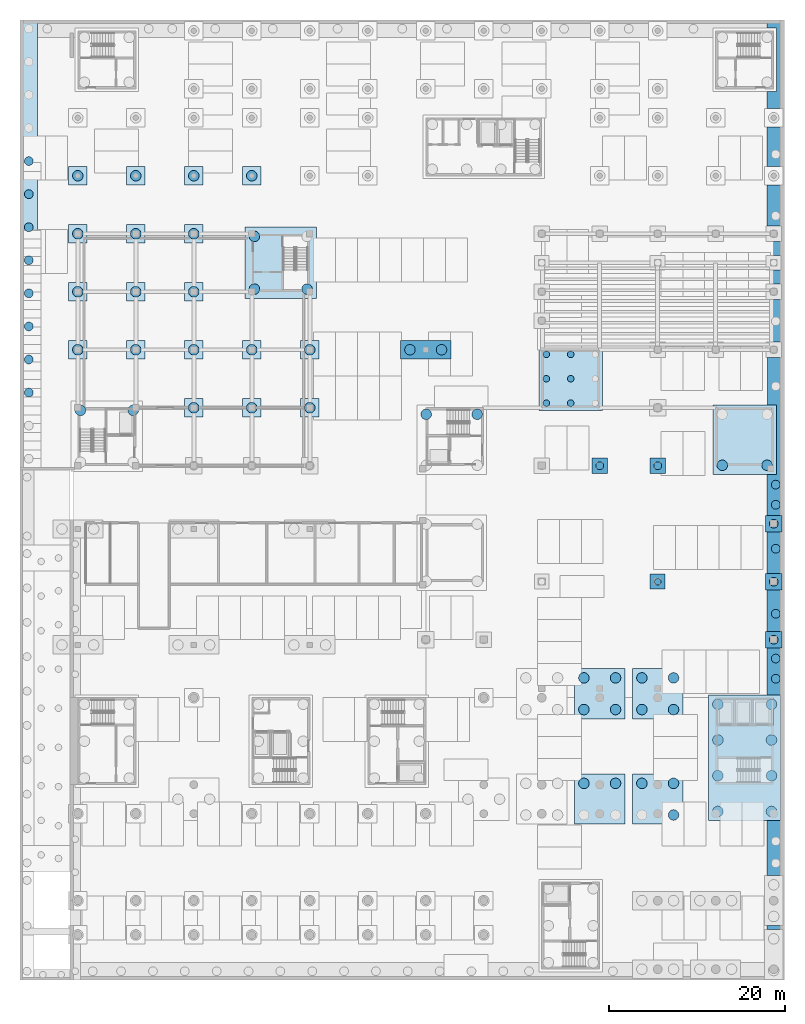
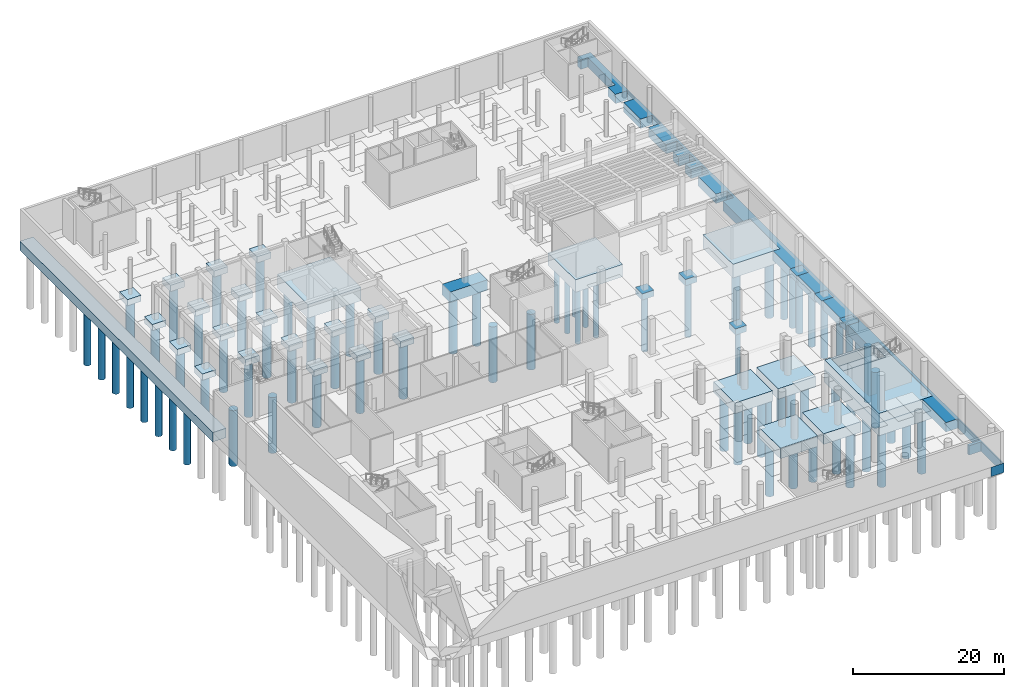
# One storey, part 3 of 38: 76 piles, 36 footings.
"""IFC4 building model written with IfcOpenShell, lengths in metres."""

from ifc_helpers import new_model, si_unit, direction, frame, origin, origin_2d, place, context, subcontext, project, spatial, polyline, circle, outline, extrude, material, material_profile, profile_set, type_object, element, save


model = new_model("IFC4")

# Units and contexts
model_context = context("Model", 3, precision=1e-05, world=origin(), true_north=direction((0.0, 1.0)))
body_context = subcontext(model_context, "Body", "Model", "MODEL_VIEW")
ifc_project = project(units=[si_unit("LENGTHUNIT", "METRE"), si_unit("AREAUNIT", "SQUARE_METRE"), si_unit("VOLUMEUNIT", "CUBIC_METRE"), si_unit("PLANEANGLEUNIT", "RADIAN"), si_unit("MASSUNIT", "GRAM", prefix="KILO")], contexts=[model_context])

# Site, building, storey
site_placement = place(None, origin())
site = spatial("IfcSite", under=ifc_project, at=site_placement, CompositionType="ELEMENT")
building_placement = place(site_placement, origin())
building = spatial("IfcBuilding", under=site, at=building_placement, Name="Lantern Court Research Institute", CompositionType="ELEMENT")
storey_placement = place(building_placement, frame((0.0, 0.0, -5.699951171875)))
storey = spatial("IfcBuildingStorey", under=building, at=storey_placement, Name="B1", CompositionType="ELEMENT", Elevation=-5.699951171875)

# Piles
ifc_material_1 = material(Name="Concrete C30/37", Category="concrete")
ifc_material_profile_1 = material_profile(ifc_material_1, circle(Radius=0.5, at=origin_2d()), Name="Bored pile D1000")
ifc_profile_set_1 = profile_set([ifc_material_profile_1], Name="Concrete C30/37")
pile_type_1 = type_object("IfcPileType", Name="Bored pile D1000", PredefinedType="BORED", material=ifc_profile_set_1)
for number, where, z_axis, x_axis, name in (
    (1, (79.199951171875, 29.699951171875, -0.900146484375), (0.0, 0.0, -1.0), (1.0, 0.0, 0.0), "Bored pile P104"),
    (2, (79.199951171875, 36.300048828125, -0.900146484375), (0.0, 0.0, -1.0), (1.0, 0.0, 0.0), "Bored pile P110"),
    (3, (79.199951171875, 42.89990234375, -0.900146484375), (0.0, 0.0, -1.0), (1.0, 0.0, 0.0), "Bored pile P119"),
    (4, (-5.580078125, 57.827880859375, -1.400146484375), (0.0, 0.0, -1.0), (1.0, 0.0, 0.0), "Bored pile P246"),
    (5, (-5.580078125, 61.592041015625, -1.400146484375), (0.0, 0.0, -1.0), (1.0, 0.0, 0.0), "Bored pile P247"),
    (6, (-5.580078125, 65.35498046875, -1.400146484375), (0.0, 0.0, -1.0), (1.0, 0.0, 0.0), "Bored pile P248"),
    (7, (-5.580078125, 69.118896484375, -1.400146484375), (0.0, 0.0, -1.0), (1.0, 0.0, 0.0), "Bored pile P249"),
    (8, (-5.580078125, 72.883056640625, -1.400146484375), (0.0, 0.0, -1.0), (1.0, 0.0, 0.0), "Bored pile P250"),
    (9, (-5.580078125, 76.64697265625, -1.400146484375), (0.0, 0.0, -1.0), (1.0, 0.0, 0.0), "Bored pile P251"),
    (10, (-5.580078125, 80.410888671875, -1.400146484375), (0.0, 0.0, -1.0), (1.0, 0.0, 0.0), "Bored pile P252"),
    (11, (-5.580078125, 84.175048828125, -1.400146484375), (0.0, 0.0, -1.0), (1.0, 0.0, 0.0), "Bored pile P253"),
    (12, (79.429931640625, 25.258056640625, -1.400146484375), (0.0, 0.0, -1.0), (1.0, 0.0, 0.0), "Bored pile P260"),
    (13, (79.429931640625, 27.555908203125, -1.400146484375), (0.0, 0.0, -1.0), (1.0, 0.0, 0.0), "Bored pile P261"),
    (14, (79.429931640625, 32.655029296875, -1.400146484375), (0.0, 0.0, -1.0), (1.0, 0.0, 0.0), "Bored pile P262"),
    (15, (79.429931640625, 40.052001953125, -1.400146484375), (0.0, 0.0, -1.0), (1.0, 0.0, 0.0), "Bored pile P263"),
    (16, (79.429931640625, 45.051025390625, -1.400146484375), (0.0, 0.0, -1.0), (1.0, 0.0, 0.0), "Bored pile P264"),
    (17, (79.429931640625, 47.34912109375, -1.400146484375), (0.0, 0.0, -1.0), (1.0, 0.0, 0.0), "Bored pile P265"),
):
    element("IfcPile", number, at=place(storey_placement, frame(where, z_axis=z_axis, x_axis=x_axis)), inside=storey, type_object=pile_type_1, Name=name, PredefinedType="BORED", context=body_context, shape_type="SweptSolid", body=[
        extrude(circle(Radius=0.5, at=origin_2d()), origin(), (0.0, 0.0, 1.0), 9.0),
    ])
ifc_material_2 = material(Name="Concrete C30/37", Category="concrete")
ifc_material_profile_2 = material_profile(ifc_material_2, circle(Radius=0.60009765625, at=origin_2d()), Name="Bored pile D1200")
ifc_profile_set_2 = profile_set([ifc_material_profile_2], Name="Concrete C30/37")
pile_type_2 = type_object("IfcPileType", Name="Bored pile D1200", PredefinedType="BORED", material=ifc_profile_set_2)
for number, where, z_axis, x_axis, name in (
    (18, (57.60009765625, 13.35009765625, -1.60009765625), (0.0, 0.0, -1.0), (1.0, 0.0, 0.0), "Bored pile P41"),
    (19, (61.199951171875, 13.35009765625, -1.60009765625), (0.0, 0.0, -1.0), (1.0, 0.0, 0.0), "Bored pile P42"),
    (20, (67.800048828125, 9.75, -1.60009765625), (0.0, 0.0, -1.0), (1.0, 0.0, 0.0), "Bored pile P44"),
    (21, (64.199951171875, 13.35009765625, -1.60009765625), (0.0, 0.0, -1.0), (1.0, 0.0, 0.0), "Bored pile P45"),
    (22, (67.800048828125, 13.35009765625, -1.60009765625), (0.0, 0.0, -1.0), (1.0, 0.0, 0.0), "Bored pile P46"),
    (23, (72.85009765625, 10.14990234375, -3.5), (0.0, 0.0, -1.0), (1.0, 0.0, 0.0), "Bored pile P53"),
    (24, (78.949951171875, 10.14990234375, -3.5), (0.0, 0.0, -1.0), (1.0, 0.0, 0.0), "Bored pile P54"),
    (25, (72.85009765625, 14.217041015625, -3.5), (0.0, 0.0, -1.0), (1.0, 0.0, 0.0), "Bored pile P55"),
    (26, (78.949951171875, 14.217041015625, -3.5), (0.0, 0.0, -1.0), (1.0, 0.0, 0.0), "Bored pile P56"),
    (27, (72.85009765625, 18.282958984375, -3.5), (0.0, 0.0, -1.0), (1.0, 0.0, 0.0), "Bored pile P57"),
    (28, (78.949951171875, 18.282958984375, -3.5), (0.0, 0.0, -1.0), (1.0, 0.0, 0.0), "Bored pile P58"),
    (29, (72.85009765625, 22.35009765625, -3.5), (0.0, 0.0, -1.0), (1.0, 0.0, 0.0), "Bored pile P59"),
    (30, (78.949951171875, 22.35009765625, -3.5), (0.0, 0.0, -1.0), (1.0, 0.0, 0.0), "Bored pile P60"),
    (31, (57.60009765625, 21.75, -1.60009765625), (0.0, 0.0, -1.0), (1.0, 0.0, 0.0), "Bored pile P87"),
    (32, (61.199951171875, 21.75, -1.60009765625), (0.0, 0.0, -1.0), (1.0, 0.0, 0.0), "Bored pile P88"),
    (33, (57.60009765625, 25.35009765625, -1.60009765625), (0.0, 0.0, -1.0), (1.0, 0.0, 0.0), "Bored pile P89"),
    (34, (61.199951171875, 25.35009765625, -1.60009765625), (0.0, 0.0, -1.0), (1.0, 0.0, 0.0), "Bored pile P90"),
    (35, (64.199951171875, 21.75, -1.60009765625), (0.0, 0.0, -1.0), (1.0, 0.0, 0.0), "Bored pile P91"),
    (36, (67.800048828125, 21.75, -1.60009765625), (0.0, 0.0, -1.0), (1.0, 0.0, 0.0), "Bored pile P92"),
    (37, (64.199951171875, 25.35009765625, -1.60009765625), (0.0, 0.0, -1.0), (1.0, 0.0, 0.0), "Bored pile P93"),
    (38, (67.800048828125, 25.35009765625, -1.60009765625), (0.0, 0.0, -1.0), (1.0, 0.0, 0.0), "Bored pile P94"),
    (39, (39.64990234375, 55.35009765625, -2.400146484375), (0.0, 0.0, -1.0), (1.0, 0.0, 0.0), "Bored pile P122"),
    (40, (45.449951171875, 55.35009765625, -2.400146484375), (0.0, 0.0, -1.0), (1.0, 0.0, 0.0), "Bored pile P123"),
    (41, (73.35009765625, 49.550048828125, -2.10009765625), (0.0, 0.0, -1.0), (1.0, 0.0, 0.0), "Bored pile P124"),
    (42, (78.449951171875, 49.550048828125, -2.10009765625), (0.0, 0.0, -1.0), (1.0, 0.0, 0.0), "Bored pile P125"),
    (43, (0.300048828125, 55.800048828125, -2.400146484375), (0.0, 0.0, -1.0), (1.0, 0.0, 0.0), "Bored pile P136"),
    (44, (6.300048828125, 55.800048828125, -2.400146484375), (0.0, 0.0, -1.0), (1.0, 0.0, 0.0), "Bored pile P137"),
    (45, (13.199951171875, 56.10009765625, -0.900146484375), (0.0, 0.0, -1.0), (1.0, 0.0, 0.0), "Bored pile P138"),
    (46, (19.800048828125, 56.10009765625, -0.900146484375), (0.0, 0.0, -1.0), (1.0, 0.0, 0.0), "Bored pile P139"),
    (47, (26.39990234375, 56.10009765625, -0.900146484375), (0.0, 0.0, -1.0), (1.0, 0.0, 0.0), "Bored pile P140"),
    (48, (0.0, 62.699951171875, -0.900146484375), (0.0, 0.0, -1.0), (1.0, 0.0, 0.0), "Bored pile P151"),
    (49, (6.60009765625, 62.699951171875, -0.900146484375), (0.0, 0.0, -1.0), (1.0, 0.0, 0.0), "Bored pile P152"),
    (50, (13.199951171875, 62.699951171875, -0.900146484375), (0.0, 0.0, -1.0), (1.0, 0.0, 0.0), "Bored pile P153"),
    (51, (19.800048828125, 62.699951171875, -0.900146484375), (0.0, 0.0, -1.0), (1.0, 0.0, 0.0), "Bored pile P154"),
    (52, (26.39990234375, 62.699951171875, -0.900146484375), (0.0, 0.0, -1.0), (1.0, 0.0, 0.0), "Bored pile P155"),
    (53, (37.800048828125, 62.699951171875, -1.60009765625), (0.0, 0.0, -1.0), (1.0, 0.0, 0.0), "Bored pile P156"),
    (54, (41.39990234375, 62.699951171875, -1.60009765625), (0.0, 0.0, -1.0), (1.0, 0.0, 0.0), "Bored pile P157"),
    (55, (0.0, 69.300048828125, -0.900146484375), (0.0, 0.0, -1.0), (1.0, 0.0, 0.0), "Bored pile P162"),
    (56, (6.60009765625, 69.300048828125, -0.900146484375), (0.0, 0.0, -1.0), (1.0, 0.0, 0.0), "Bored pile P163"),
    (57, (13.199951171875, 69.300048828125, -0.900146484375), (0.0, 0.0, -1.0), (1.0, 0.0, 0.0), "Bored pile P164"),
    (58, (20.10009765625, 69.60009765625, -2.10009765625), (0.0, 0.0, -1.0), (1.0, 0.0, 0.0), "Bored pile P167"),
    (59, (26.10009765625, 69.60009765625, -2.10009765625), (0.0, 0.0, -1.0), (1.0, 0.0, 0.0), "Bored pile P168"),
    (60, (20.10009765625, 75.60009765625, -2.10009765625), (0.0, 0.0, -1.0), (1.0, 0.0, 0.0), "Bored pile P169"),
    (61, (0.0, 75.89990234375, -0.900146484375), (0.0, 0.0, -1.0), (1.0, 0.0, 0.0), "Bored pile P174"),
    (62, (6.60009765625, 75.89990234375, -0.900146484375), (0.0, 0.0, -1.0), (1.0, 0.0, 0.0), "Bored pile P175"),
    (63, (13.199951171875, 75.89990234375, -0.900146484375), (0.0, 0.0, -1.0), (1.0, 0.0, 0.0), "Bored pile P176"),
    (64, (0.0, 82.5, -0.900146484375), (0.0, 0.0, -1.0), (1.0, 0.0, 0.0), "Bored pile P182"),
    (65, (6.60009765625, 82.5, -0.900146484375), (0.0, 0.0, -1.0), (1.0, 0.0, 0.0), "Bored pile P183"),
    (66, (13.199951171875, 82.5, -0.900146484375), (0.0, 0.0, -1.0), (1.0, 0.0, 0.0), "Bored pile P184"),
    (67, (19.800048828125, 82.5, -0.900146484375), (0.0, 0.0, -1.0), (1.0, 0.0, 0.0), "Bored pile P185"),
):
    element("IfcPile", number, at=place(storey_placement, frame(where, z_axis=z_axis, x_axis=x_axis)), inside=storey, type_object=pile_type_2, Name=name, PredefinedType="BORED", context=body_context, shape_type="SweptSolid", body=[
        extrude(circle(Radius=0.60009765625, at=origin_2d()), origin(), (0.0, 0.0, 1.0), 9.0),
    ])
ifc_material_3 = material(Name="Concrete C30/37", Category="concrete")
ifc_material_profile_3 = material_profile(ifc_material_3, circle(Radius=0.375, at=origin_2d()), Name="Bored pile D750")
ifc_profile_set_3 = profile_set([ifc_material_profile_3], Name="Concrete C30/37")
pile_type_3 = type_object("IfcPileType", Name="Bored pile D750", PredefinedType="BORED", material=ifc_profile_set_3)
for number, where, z_axis, x_axis, name in (
    (68, (66.0, 36.300048828125, -0.900146484375), (0.0, 0.0, -1.0), (1.0, 0.0, 0.0), "Bored pile P112"),
    (69, (53.324951171875, 56.625, -1.900146484375), (0.0, 0.0, -1.0), (1.0, 0.0, 0.0), "Bored pile P142"),
    (70, (56.10009765625, 56.625, -1.900146484375), (0.0, 0.0, -1.0), (1.0, 0.0, 0.0), "Bored pile P143"),
    (71, (53.324951171875, 59.39990234375, -1.900146484375), (0.0, 0.0, -1.0), (1.0, 0.0, 0.0), "Bored pile P145"),
    (72, (56.10009765625, 59.39990234375, -1.900146484375), (0.0, 0.0, -1.0), (1.0, 0.0, 0.0), "Bored pile P146"),
    (73, (53.324951171875, 62.175048828125, -1.900146484375), (0.0, 0.0, -1.0), (1.0, 0.0, 0.0), "Bored pile P148"),
    (74, (56.10009765625, 62.175048828125, -1.900146484375), (0.0, 0.0, -1.0), (1.0, 0.0, 0.0), "Bored pile P149"),
):
    element("IfcPile", number, at=place(storey_placement, frame(where, z_axis=z_axis, x_axis=x_axis)), inside=storey, type_object=pile_type_3, Name=name, PredefinedType="BORED", context=body_context, shape_type="SweptSolid", body=[
        extrude(circle(Radius=0.375, at=origin_2d()), origin(), (0.0, 0.0, 1.0), 9.0),
    ])
ifc_material_4 = material(Name="Concrete C30/37", Category="concrete")
ifc_material_profile_4 = material_profile(ifc_material_4, circle(Radius=0.449951171875, at=origin_2d()), Name="Bored pile D900")
ifc_profile_set_4 = profile_set([ifc_material_profile_4], Name="Concrete C30/37")
pile_type_4 = type_object("IfcPileType", Name="Bored pile D900", PredefinedType="BORED", material=ifc_profile_set_4)
for number, where, z_axis, x_axis, name in (
    (75, (59.39990234375, 49.5, -0.900146484375), (0.0, 0.0, -1.0), (1.0, 0.0, 0.0), "Bored pile P132"),
    (76, (66.0, 49.5, -0.900146484375), (0.0, 0.0, -1.0), (1.0, 0.0, 0.0), "Bored pile P133"),
):
    element("IfcPile", number, at=place(storey_placement, frame(where, z_axis=z_axis, x_axis=x_axis)), inside=storey, type_object=pile_type_4, Name=name, PredefinedType="BORED", context=body_context, shape_type="SweptSolid", body=[
        extrude(circle(Radius=0.449951171875, at=origin_2d()), origin(), (0.0, 0.0, 1.0), 9.0),
    ])

# Footings
ifc_material_5 = material(Name="Concrete C30/37", Category="concrete")
footing_type_1 = type_object("IfcFootingType", Name="Pile cap 1700 x 1700 x 1000", PredefinedType="PILE_CAP", material=ifc_material_5)
footing_1_placement = place(storey_placement, frame((0.0, 0.0, -1.0)))
element("IfcFooting", 77, at=footing_1_placement, inside=storey, type_object=footing_type_1, Name="Pile cap PC53", PredefinedType="PILE_CAP", context=body_context, shape_type="SweptSolid", body=[
    extrude(outline(polyline([(65.14990234375, 35.449951171875), (66.85009765625, 35.449951171875), (66.85009765625, 37.14990234375), (65.14990234375, 37.14990234375), (65.14990234375, 35.449951171875)])), origin(), (0.0, 0.0, 1.0), 1.0),
])
ifc_material_6 = material(Name="Concrete C30/37", Category="concrete")
footing_type_2 = type_object("IfcFootingType", Name="Pile cap 1800 x 1800 x 1000", PredefinedType="PILE_CAP", material=ifc_material_6)
footing_2_placement = place(storey_placement, frame((0.0, 0.0, -1.0)))
element("IfcFooting", 78, at=footing_2_placement, inside=storey, type_object=footing_type_2, Name="Pile cap PC64", PredefinedType="PILE_CAP", context=body_context, shape_type="SweptSolid", body=[
    extrude(outline(polyline([(58.5, 48.60009765625), (60.300048828125, 48.60009765625), (60.300048828125, 50.39990234375), (58.5, 50.39990234375), (58.5, 48.60009765625)])), origin(), (0.0, 0.0, 1.0), 1.0),
])
footing_3_placement = place(storey_placement, frame((0.0, 0.0, -1.0)))
element("IfcFooting", 79, at=footing_3_placement, inside=storey, type_object=footing_type_2, Name="Pile cap PC65", PredefinedType="PILE_CAP", context=body_context, shape_type="SweptSolid", body=[
    extrude(outline(polyline([(65.10009765625, 48.60009765625), (66.89990234375, 48.60009765625), (66.89990234375, 50.39990234375), (65.10009765625, 50.39990234375), (65.10009765625, 48.60009765625)])), origin(), (0.0, 0.0, 1.0), 1.0),
])
ifc_material_7 = material(Name="Concrete C30/37", Category="concrete")
footing_type_3 = type_object("IfcFootingType", Name="Pile cap 1900 x 1900 x 1000", PredefinedType="PILE_CAP", material=ifc_material_7)
footing_4_placement = place(storey_placement, frame((0.0, 0.0, -1.0)))
element("IfcFooting", 80, at=footing_4_placement, inside=storey, type_object=footing_type_3, Name="Pile cap PC48", PredefinedType="PILE_CAP", context=body_context, shape_type="SweptSolid", body=[
    extrude(outline(polyline([(78.25, 28.75), (80.14990234375, 28.75), (80.14990234375, 30.64990234375), (78.25, 30.64990234375), (78.25, 28.75)])), origin(), (0.0, 0.0, 1.0), 1.0),
])
footing_5_placement = place(storey_placement, frame((0.0, 0.0, -1.0)))
element("IfcFooting", 81, at=footing_5_placement, inside=storey, type_object=footing_type_3, Name="Pile cap PC51", PredefinedType="PILE_CAP", context=body_context, shape_type="SweptSolid", body=[
    extrude(outline(polyline([(78.25, 35.35009765625), (80.14990234375, 35.35009765625), (80.14990234375, 37.25), (78.25, 37.25), (78.25, 35.35009765625)])), origin(), (0.0, 0.0, 1.0), 1.0),
])
footing_6_placement = place(storey_placement, frame((0.0, 0.0, -1.0)))
element("IfcFooting", 82, at=footing_6_placement, inside=storey, type_object=footing_type_3, Name="Pile cap PC57", PredefinedType="PILE_CAP", context=body_context, shape_type="SweptSolid", body=[
    extrude(outline(polyline([(78.25, 41.949951171875), (80.14990234375, 41.949951171875), (80.14990234375, 43.85009765625), (78.25, 43.85009765625), (78.25, 41.949951171875)])), origin(), (0.0, 0.0, 1.0), 1.0),
])
ifc_material_8 = material(Name="Concrete C30/37", Category="concrete")
footing_type_4 = type_object("IfcFootingType", Name="Pile cap 2100 x 2100 x 1000", PredefinedType="PILE_CAP", material=ifc_material_8)
footing_7_placement = place(storey_placement, frame((0.0, 0.0, -1.0)))
element("IfcFooting", 83, at=footing_7_placement, inside=storey, type_object=footing_type_4, Name="Pile cap PC67", PredefinedType="PILE_CAP", context=body_context, shape_type="SweptSolid", body=[
    extrude(outline(polyline([(12.14990234375, 55.050048828125), (14.25, 55.050048828125), (14.25, 57.14990234375), (12.14990234375, 57.14990234375), (12.14990234375, 55.050048828125)])), origin(), (0.0, 0.0, 1.0), 1.0),
])
footing_8_placement = place(storey_placement, frame((0.0, 0.0, -1.0)))
element("IfcFooting", 84, at=footing_8_placement, inside=storey, type_object=footing_type_4, Name="Pile cap PC68", PredefinedType="PILE_CAP", context=body_context, shape_type="SweptSolid", body=[
    extrude(outline(polyline([(18.75, 55.050048828125), (20.85009765625, 55.050048828125), (20.85009765625, 57.14990234375), (18.75, 57.14990234375), (18.75, 55.050048828125)])), origin(), (0.0, 0.0, 1.0), 1.0),
])
footing_9_placement = place(storey_placement, frame((0.0, 0.0, -1.0)))
element("IfcFooting", 85, at=footing_9_placement, inside=storey, type_object=footing_type_4, Name="Pile cap PC69", PredefinedType="PILE_CAP", context=body_context, shape_type="SweptSolid", body=[
    extrude(outline(polyline([(25.35009765625, 55.050048828125), (27.449951171875, 55.050048828125), (27.449951171875, 57.14990234375), (25.35009765625, 57.14990234375), (25.35009765625, 55.050048828125)])), origin(), (0.0, 0.0, 1.0), 1.0),
])
footing_10_placement = place(storey_placement, frame((0.0, 0.0, -1.0)))
element("IfcFooting", 86, at=footing_10_placement, inside=storey, type_object=footing_type_4, Name="Pile cap PC72", PredefinedType="PILE_CAP", context=body_context, shape_type="SweptSolid", body=[
    extrude(outline(polyline([(-1.050048828125, 61.64990234375), (1.050048828125, 61.64990234375), (1.050048828125, 63.75), (-1.050048828125, 63.75), (-1.050048828125, 61.64990234375)])), origin(), (0.0, 0.0, 1.0), 1.0),
])
footing_11_placement = place(storey_placement, frame((0.0, 0.0, -1.0)))
element("IfcFooting", 87, at=footing_11_placement, inside=storey, type_object=footing_type_4, Name="Pile cap PC73", PredefinedType="PILE_CAP", context=body_context, shape_type="SweptSolid", body=[
    extrude(outline(polyline([(5.550048828125, 61.64990234375), (7.64990234375, 61.64990234375), (7.64990234375, 63.75), (5.550048828125, 63.75), (5.550048828125, 61.64990234375)])), origin(), (0.0, 0.0, 1.0), 1.0),
])
footing_12_placement = place(storey_placement, frame((0.0, 0.0, -1.0)))
element("IfcFooting", 88, at=footing_12_placement, inside=storey, type_object=footing_type_4, Name="Pile cap PC74", PredefinedType="PILE_CAP", context=body_context, shape_type="SweptSolid", body=[
    extrude(outline(polyline([(12.14990234375, 61.64990234375), (14.25, 61.64990234375), (14.25, 63.75), (12.14990234375, 63.75), (12.14990234375, 61.64990234375)])), origin(), (0.0, 0.0, 1.0), 1.0),
])
footing_13_placement = place(storey_placement, frame((0.0, 0.0, -1.0)))
element("IfcFooting", 89, at=footing_13_placement, inside=storey, type_object=footing_type_4, Name="Pile cap PC75", PredefinedType="PILE_CAP", context=body_context, shape_type="SweptSolid", body=[
    extrude(outline(polyline([(18.75, 61.64990234375), (20.85009765625, 61.64990234375), (20.85009765625, 63.75), (18.75, 63.75), (18.75, 61.64990234375)])), origin(), (0.0, 0.0, 1.0), 1.0),
])
footing_14_placement = place(storey_placement, frame((0.0, 0.0, -1.0)))
element("IfcFooting", 90, at=footing_14_placement, inside=storey, type_object=footing_type_4, Name="Pile cap PC76", PredefinedType="PILE_CAP", context=body_context, shape_type="SweptSolid", body=[
    extrude(outline(polyline([(25.35009765625, 61.64990234375), (27.449951171875, 61.64990234375), (27.449951171875, 63.75), (25.35009765625, 63.75), (25.35009765625, 61.64990234375)])), origin(), (0.0, 0.0, 1.0), 1.0),
])
footing_15_placement = place(storey_placement, frame((0.0, 0.0, -1.0)))
element("IfcFooting", 91, at=footing_15_placement, inside=storey, type_object=footing_type_4, Name="Pile cap PC82", PredefinedType="PILE_CAP", context=body_context, shape_type="SweptSolid", body=[
    extrude(outline(polyline([(-1.050048828125, 68.25), (1.050048828125, 68.25), (1.050048828125, 70.35009765625), (-1.050048828125, 70.35009765625), (-1.050048828125, 68.25)])), origin(), (0.0, 0.0, 1.0), 1.0),
])
footing_16_placement = place(storey_placement, frame((0.0, 0.0, -1.0)))
element("IfcFooting", 92, at=footing_16_placement, inside=storey, type_object=footing_type_4, Name="Pile cap PC83", PredefinedType="PILE_CAP", context=body_context, shape_type="SweptSolid", body=[
    extrude(outline(polyline([(5.550048828125, 68.25), (7.64990234375, 68.25), (7.64990234375, 70.35009765625), (5.550048828125, 70.35009765625), (5.550048828125, 68.25)])), origin(), (0.0, 0.0, 1.0), 1.0),
])
footing_17_placement = place(storey_placement, frame((0.0, 0.0, -1.0)))
element("IfcFooting", 93, at=footing_17_placement, inside=storey, type_object=footing_type_4, Name="Pile cap PC84", PredefinedType="PILE_CAP", context=body_context, shape_type="SweptSolid", body=[
    extrude(outline(polyline([(12.14990234375, 68.25), (14.25, 68.25), (14.25, 70.35009765625), (12.14990234375, 70.35009765625), (12.14990234375, 68.25)])), origin(), (0.0, 0.0, 1.0), 1.0),
])
footing_18_placement = place(storey_placement, frame((0.0, 0.0, -1.0)))
element("IfcFooting", 94, at=footing_18_placement, inside=storey, type_object=footing_type_4, Name="Pile cap PC91", PredefinedType="PILE_CAP", context=body_context, shape_type="SweptSolid", body=[
    extrude(outline(polyline([(-1.050048828125, 74.85009765625), (1.050048828125, 74.85009765625), (1.050048828125, 76.949951171875), (-1.050048828125, 76.949951171875), (-1.050048828125, 74.85009765625)])), origin(), (0.0, 0.0, 1.0), 1.0),
])
footing_19_placement = place(storey_placement, frame((0.0, 0.0, -1.0)))
element("IfcFooting", 95, at=footing_19_placement, inside=storey, type_object=footing_type_4, Name="Pile cap PC92", PredefinedType="PILE_CAP", context=body_context, shape_type="SweptSolid", body=[
    extrude(outline(polyline([(5.550048828125, 74.85009765625), (7.64990234375, 74.85009765625), (7.64990234375, 76.949951171875), (5.550048828125, 76.949951171875), (5.550048828125, 74.85009765625)])), origin(), (0.0, 0.0, 1.0), 1.0),
])
footing_20_placement = place(storey_placement, frame((0.0, 0.0, -1.0)))
element("IfcFooting", 96, at=footing_20_placement, inside=storey, type_object=footing_type_4, Name="Pile cap PC93", PredefinedType="PILE_CAP", context=body_context, shape_type="SweptSolid", body=[
    extrude(outline(polyline([(12.14990234375, 74.85009765625), (14.25, 74.85009765625), (14.25, 76.949951171875), (12.14990234375, 76.949951171875), (12.14990234375, 74.85009765625)])), origin(), (0.0, 0.0, 1.0), 1.0),
])
footing_21_placement = place(storey_placement, frame((0.0, 0.0, -1.0)))
element("IfcFooting", 97, at=footing_21_placement, inside=storey, type_object=footing_type_4, Name="Pile cap PC99", PredefinedType="PILE_CAP", context=body_context, shape_type="SweptSolid", body=[
    extrude(outline(polyline([(-1.050048828125, 81.449951171875), (1.050048828125, 81.449951171875), (1.050048828125, 83.550048828125), (-1.050048828125, 83.550048828125), (-1.050048828125, 81.449951171875)])), origin(), (0.0, 0.0, 1.0), 1.0),
])
footing_22_placement = place(storey_placement, frame((0.0, 0.0, -1.0)))
element("IfcFooting", 98, at=footing_22_placement, inside=storey, type_object=footing_type_4, Name="Pile cap PC100", PredefinedType="PILE_CAP", context=body_context, shape_type="SweptSolid", body=[
    extrude(outline(polyline([(5.550048828125, 81.449951171875), (7.64990234375, 81.449951171875), (7.64990234375, 83.550048828125), (5.550048828125, 83.550048828125), (5.550048828125, 81.449951171875)])), origin(), (0.0, 0.0, 1.0), 1.0),
])
footing_23_placement = place(storey_placement, frame((0.0, 0.0, -1.0)))
element("IfcFooting", 99, at=footing_23_placement, inside=storey, type_object=footing_type_4, Name="Pile cap PC101", PredefinedType="PILE_CAP", context=body_context, shape_type="SweptSolid", body=[
    extrude(outline(polyline([(12.14990234375, 81.449951171875), (14.25, 81.449951171875), (14.25, 83.550048828125), (12.14990234375, 83.550048828125), (12.14990234375, 81.449951171875)])), origin(), (0.0, 0.0, 1.0), 1.0),
])
footing_24_placement = place(storey_placement, frame((0.0, 0.0, -1.0)))
element("IfcFooting", 100, at=footing_24_placement, inside=storey, type_object=footing_type_4, Name="Pile cap PC102", PredefinedType="PILE_CAP", context=body_context, shape_type="SweptSolid", body=[
    extrude(outline(polyline([(18.75, 81.449951171875), (20.85009765625, 81.449951171875), (20.85009765625, 83.550048828125), (18.75, 83.550048828125), (18.75, 81.449951171875)])), origin(), (0.0, 0.0, 1.0), 1.0),
])
ifc_material_9 = material(Name="Concrete C30/37", Category="concrete")
footing_type_5 = type_object("IfcFootingType", Name="Pile cap 5700 x 2100 x 1700", PredefinedType="PILE_CAP", material=ifc_material_9)
footing_25_placement = place(storey_placement, frame((0.0, 0.0, -1.699951171875)))
element("IfcFooting", 101, at=footing_25_placement, inside=storey, type_object=footing_type_5, Name="Pile cap PC77", PredefinedType="PILE_CAP", context=body_context, shape_type="SweptSolid", body=[
    extrude(outline(polyline([(36.75, 61.64990234375), (42.449951171875, 61.64990234375), (42.449951171875, 63.75), (36.75, 63.75), (36.75, 61.64990234375)])), origin(), (0.0, 0.0, 1.0), 1.699951171875),
])
ifc_material_10 = material(Name="Concrete C30/37", Category="concrete")
footing_type_6 = type_object("IfcFootingType", Name="Pile cap 5700 x 5700 x 1700", PredefinedType="PILE_CAP", material=ifc_material_10)
footing_26_placement = place(storey_placement, frame((0.0, 0.0, -1.699951171875)))
element("IfcFooting", 102, at=footing_26_placement, inside=storey, type_object=footing_type_6, Name="Pile cap PC25", PredefinedType="PILE_CAP", context=body_context, shape_type="SweptSolid", body=[
    extrude(outline(polyline([(56.550048828125, 8.699951171875), (62.25, 8.699951171875), (62.25, 14.39990234375), (56.550048828125, 14.39990234375), (56.550048828125, 8.699951171875)])), origin(), (0.0, 0.0, 1.0), 1.699951171875),
])
footing_27_placement = place(storey_placement, frame((0.0, 0.0, -1.699951171875)))
element("IfcFooting", 103, at=footing_27_placement, inside=storey, type_object=footing_type_6, Name="Pile cap PC26", PredefinedType="PILE_CAP", context=body_context, shape_type="SweptSolid", body=[
    extrude(outline(polyline([(63.14990234375, 8.699951171875), (68.85009765625, 8.699951171875), (68.85009765625, 14.39990234375), (63.14990234375, 14.39990234375), (63.14990234375, 8.699951171875)])), origin(), (0.0, 0.0, 1.0), 1.699951171875),
])
footing_28_placement = place(storey_placement, frame((0.0, 0.0, -1.699951171875)))
element("IfcFooting", 104, at=footing_28_placement, inside=storey, type_object=footing_type_6, Name="Pile cap PC40", PredefinedType="PILE_CAP", context=body_context, shape_type="SweptSolid", body=[
    extrude(outline(polyline([(56.550048828125, 20.699951171875), (62.25, 20.699951171875), (62.25, 26.39990234375), (56.550048828125, 26.39990234375), (56.550048828125, 20.699951171875)])), origin(), (0.0, 0.0, 1.0), 1.699951171875),
])
footing_29_placement = place(storey_placement, frame((0.0, 0.0, -1.699951171875)))
element("IfcFooting", 105, at=footing_29_placement, inside=storey, type_object=footing_type_6, Name="Pile cap PC41", PredefinedType="PILE_CAP", context=body_context, shape_type="SweptSolid", body=[
    extrude(outline(polyline([(63.14990234375, 20.699951171875), (68.85009765625, 20.699951171875), (68.85009765625, 26.39990234375), (63.14990234375, 26.39990234375), (63.14990234375, 20.699951171875)])), origin(), (0.0, 0.0, 1.0), 1.699951171875),
])
ifc_material_11 = material(Name="Concrete C30/37", Category="concrete")
footing_type_7 = type_object("IfcFootingType", Name="Pile cap 7200 x 7200 x 2000", PredefinedType="PILE_CAP", material=ifc_material_11)
footing_30_placement = place(storey_placement, frame((0.0, 0.0, -2.0)))
element("IfcFooting", 106, at=footing_30_placement, inside=storey, type_object=footing_type_7, Name="Pile cap PC71", PredefinedType="PILE_CAP", context=body_context, shape_type="SweptSolid", body=[
    extrude(outline(polyline([(52.5, 55.800048828125), (59.699951171875, 55.800048828125), (59.699951171875, 63.0), (52.5, 63.0), (52.5, 55.800048828125)])), origin(), (0.0, 0.0, 1.0), 2.0),
])
ifc_material_12 = material(Name="Concrete C30/37", Category="concrete")
footing_type_8 = type_object("IfcFootingType", Name="Pile cap 7200 x 7900 x 2200", PredefinedType="PILE_CAP", material=ifc_material_12)
footing_31_placement = place(storey_placement, frame((0.0, 0.0, -2.199951171875)))
element("IfcFooting", 107, at=footing_31_placement, inside=storey, type_object=footing_type_8, Name="Pile cap PC59", PredefinedType="PILE_CAP", context=body_context, shape_type="SweptSolid", body=[
    extrude(outline(polyline([(72.300048828125, 48.5), (79.5, 48.5), (79.5, 56.39990234375), (72.300048828125, 56.39990234375), (72.300048828125, 48.5)])), origin(), (0.0, 0.0, 1.0), 2.199951171875),
])
ifc_material_13 = material(Name="Concrete C30/37", Category="concrete")
footing_type_9 = type_object("IfcFootingType", Name="Pile cap 8100 x 8100 x 2200", PredefinedType="PILE_CAP", material=ifc_material_13)
footing_32_placement = place(storey_placement, frame((0.0, 0.0, -2.199951171875)))
element("IfcFooting", 108, at=footing_32_placement, inside=storey, type_object=footing_type_9, Name="Pile cap PC87", PredefinedType="PILE_CAP", context=body_context, shape_type="SweptSolid", body=[
    extrude(outline(polyline([(19.050048828125, 68.550048828125), (27.14990234375, 68.550048828125), (27.14990234375, 76.64990234375), (19.050048828125, 76.64990234375), (19.050048828125, 68.550048828125)])), origin(), (0.0, 0.0, 1.0), 2.199951171875),
])
ifc_material_14 = material(Name="Concrete C30/37", Category="concrete")
footing_type_10 = type_object("IfcFootingType", Name="Pile cap lower plate 8200 x 14300 x 2100", PredefinedType="PILE_CAP", material=ifc_material_14)
footing_33_placement = place(storey_placement, frame((0.0, 0.0, -3.60009765625)))
element("IfcFooting", 109, at=footing_33_placement, inside=storey, type_object=footing_type_10, Name="Pile cap PC33 lower plate", PredefinedType="PILE_CAP", context=body_context, shape_type="SweptSolid", body=[
    extrude(outline(polyline([(71.800048828125, 9.10009765625), (80.0, 9.10009765625), (80.0, 23.39990234375), (71.800048828125, 23.39990234375), (71.800048828125, 9.10009765625)])), origin(), (0.0, 0.0, 1.0), 2.10009765625),
])
ifc_material_15 = material(Name="Concrete C30/37", Category="concrete")
footing_type_11 = type_object("IfcFootingType", Name="Pile cap upper ring 8200 x 14300 x 1500", PredefinedType="PILE_CAP", material=ifc_material_15)
footing_34_placement = place(storey_placement, frame((0.0, 0.0, -1.5)))
element("IfcFooting", 110, at=footing_34_placement, inside=storey, type_object=footing_type_11, Name="Pile cap PC33 upper ring", PredefinedType="PILE_CAP", context=body_context, shape_type="SweptSolid", body=[
    extrude(outline(polyline([(71.800048828125, 9.10009765625), (80.0, 9.10009765625), (80.0, 23.39990234375), (71.800048828125, 23.39990234375), (71.800048828125, 9.10009765625)]), holes=[polyline([(72.64990234375, 19.949951171875), (79.14990234375, 19.949951171875), (79.14990234375, 23.050048828125), (72.64990234375, 23.050048828125), (72.64990234375, 19.949951171875)])]), origin(), (0.0, 0.0, 1.0), 1.5),
])
ifc_material_16 = material(Name="Concrete C30/37", Category="concrete")
footing_type_12 = type_object("IfcFootingType", Name="Strip footing 2000 x 1500", PredefinedType="STRIP_FOOTING", material=ifc_material_16)
footing_35_placement = place(storey_placement, frame((0.0, 0.0, -1.5)))
element("IfcFooting", 111, at=footing_35_placement, inside=storey, type_object=footing_type_12, Name="Strip footing F6", PredefinedType="STRIP_FOOTING", context=body_context, shape_type="SweptSolid", body=[
    extrude(outline(polyline([(-4.580078125, 49.300048828125), (-6.580078125, 49.300048828125), (-6.580078125, 100.22998046875), (-4.580078125, 100.22998046875), (-4.580078125, 49.300048828125)])), origin(), (0.0, 0.0, 1.0), 1.5),
])
footing_36_placement = place(storey_placement, frame((0.0, 0.0, -1.5)))
element("IfcFooting", 112, at=footing_36_placement, inside=storey, type_object=footing_type_12, Name="Strip footing F7", PredefinedType="STRIP_FOOTING", context=body_context, shape_type="SweptSolid", body=[
    extrude(outline(polyline([(78.429931640625, 23.39990234375), (78.429931640625, 28.75), (80.14990234375, 28.75), (80.14990234375, 30.64990234375), (78.429931640625, 30.64990234375), (78.429931640625, 35.35009765625), (80.14990234375, 35.35009765625), (80.14990234375, 37.25), (78.429931640625, 37.25), (78.429931640625, 41.949951171875), (80.14990234375, 41.949951171875), (80.14990234375, 43.85009765625), (78.429931640625, 43.85009765625), (78.429931640625, 48.5), (79.5, 48.5), (79.5, 56.39990234375), (78.429931640625, 56.39990234375), (78.429931640625, 61.800048828125), (80.10009765625, 61.800048828125), (80.10009765625, 63.60009765625), (78.429931640625, 63.60009765625), (78.429931640625, 68.39990234375), (80.10009765625, 68.39990234375), (80.10009765625, 70.199951171875), (78.429931640625, 70.199951171875), (78.429931640625, 71.75), (80.050048828125, 71.75), (80.050048828125, 73.449951171875), (78.429931640625, 73.449951171875), (78.429931640625, 75.0), (80.10009765625, 75.0), (80.10009765625, 76.800048828125), (78.429931640625, 76.800048828125), (78.429931640625, 81.449951171875), (80.25, 81.449951171875), (80.25, 83.550048828125), (78.429931640625, 83.550048828125), (78.429931640625, 88.050048828125), (80.25, 88.050048828125), (80.25, 90.14990234375), (78.429931640625, 90.14990234375), (78.429931640625, 92.10009765625), (79.5, 92.10009765625), (79.5, 99.300048828125), (78.429931640625, 99.300048828125), (78.429931640625, 100.22998046875), (80.429931640625, 100.22998046875), (80.429931640625, -9.030029296875), (78.429931640625, -9.030029296875), (78.429931640625, -9.0), (80.25, -9.0), (80.25, -3.300048828125), (78.429931640625, -3.300048828125), (78.429931640625, -2.85009765625), (80.25, -2.85009765625), (80.25, 2.85009765625), (78.429931640625, 2.85009765625), (78.429931640625, 9.10009765625), (80.0, 9.10009765625), (80.0, 23.39990234375), (78.429931640625, 23.39990234375)])), origin(), (0.0, 0.0, 1.0), 1.5),
])

save(model, "model.ifc")
